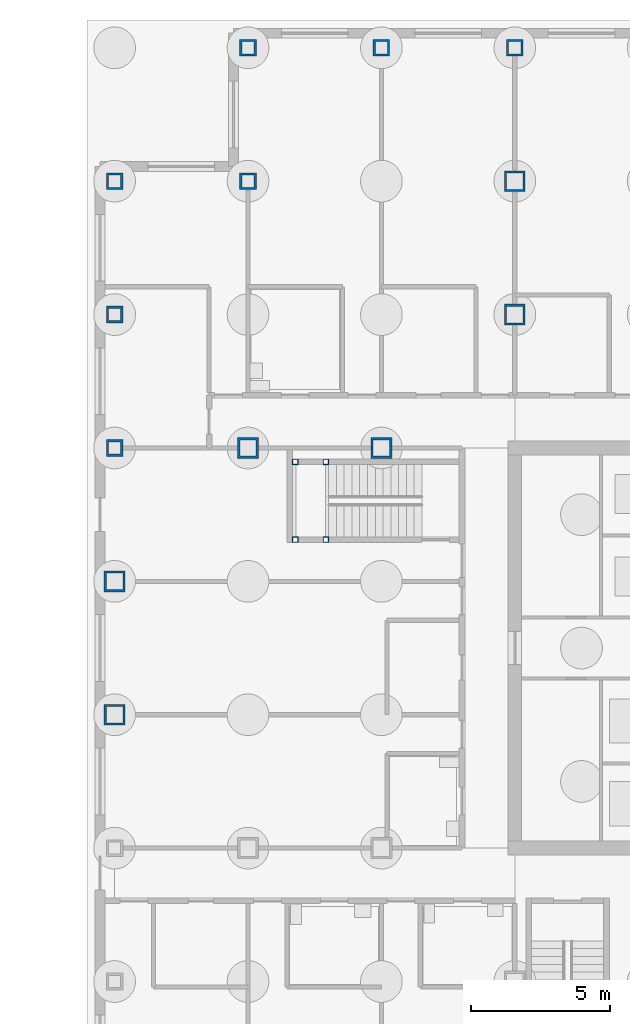
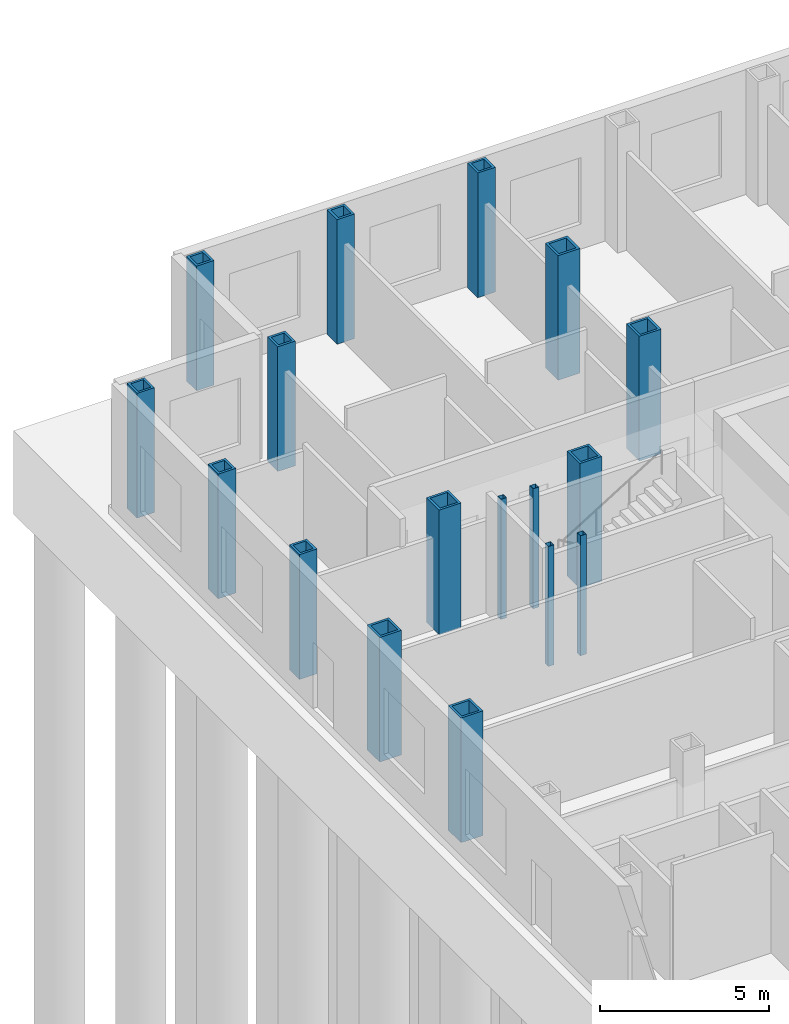
# One storey, part 8 of 22: 17 columns.
"""IFC4 building model written with IfcOpenShell, lengths in metres."""

from ifc_helpers import new_model, si_unit, direction, frame, origin, origin_2d, place, context, subcontext, project, spatial, hollow_rectangle, extrude, material, material_profile, profile_set, type_object, element, save


model = new_model("IFC4")

# Units and contexts
model_context = context("Model", 3, precision=1e-05, world=origin(), true_north=direction((0.0, 1.0)))
body_context = subcontext(model_context, "Body", "Model", "MODEL_VIEW")
ifc_project = project(units=[si_unit("LENGTHUNIT", "METRE"), si_unit("AREAUNIT", "SQUARE_METRE"), si_unit("VOLUMEUNIT", "CUBIC_METRE"), si_unit("PLANEANGLEUNIT", "RADIAN"), si_unit("MASSUNIT", "GRAM", prefix="KILO")], contexts=[model_context])

# Site, building, storey
site_placement = place(None, origin())
site = spatial("IfcSite", under=ifc_project, at=site_placement, CompositionType="ELEMENT")
building_placement = place(site_placement, origin())
building = spatial("IfcBuilding", under=site, at=building_placement, Name="Kvirike Care Tower", CompositionType="ELEMENT")
storey_placement = place(building_placement, origin())
storey = spatial("IfcBuildingStorey", under=building, at=storey_placement, Name="L00", CompositionType="ELEMENT", Elevation=0.0)

# Columns
ifc_material_1 = material(Name="Steel S460", Category="steel")
ifc_material_profile_1 = material_profile(ifc_material_1, hollow_rectangle(XDim=0.60009765625, YDim=0.60009765625, WallThickness=0.080078125, at=origin_2d()), Name="BX 600x600x80")
ifc_profile_set_1 = profile_set([ifc_material_profile_1], Name="Steel S460")
column_type_1 = type_object("IfcColumnType", Name="COLUMN BX 600x600x80", PredefinedType="COLUMN", material=ifc_profile_set_1)
for number, where, z_axis, x_axis, name in (
    (1, (0.0, 43.199951171875, 0.0), (0.0, 0.0, 1.0), (0.0, 1.0, 0.0), "Column K3 L00"),
    (2, (0.0, 48.0, 0.0), (0.0, 0.0, 1.0), (1.0, 0.0, 0.0), "Column L3 L00"),
    (3, (0.0, 52.800048828125, 0.0), (0.0, 0.0, 1.0), (0.0, 1.0, 0.0), "Column M3 L00"),
    (4, (4.800048828125, 52.800048828125, 0.0), (0.0, 0.0, 1.0), (0.0, 1.0, 0.0), "Column M4 L00"),
    (5, (4.800048828125, 57.60009765625, 0.0), (0.0, 0.0, 1.0), (0.0, 1.0, 0.0), "Column N4 L00"),
    (6, (9.60009765625, 57.60009765625, 0.0), (0.0, 0.0, 1.0), (0.0, 1.0, 0.0), "Column N5 L00"),
    (7, (14.39990234375, 57.60009765625, 0.0), (0.0, 0.0, 1.0), (0.0, 1.0, 0.0), "Column N6 L00"),
):
    element("IfcColumn", number, at=place(storey_placement, frame(where, z_axis=z_axis, x_axis=x_axis)), inside=storey, type_object=column_type_1, Name=name, PredefinedType="COLUMN", context=body_context, shape_type="SweptSolid", body=[
        extrude(hollow_rectangle(XDim=0.60009765625, YDim=0.60009765625, WallThickness=0.080078125, at=origin_2d()), origin(), (0.0, 0.0, 1.0), 4.5),
    ])
ifc_material_2 = material(Name="Steel S460", Category="steel")
ifc_material_profile_2 = material_profile(ifc_material_2, hollow_rectangle(XDim=0.75, YDim=0.75, WallThickness=0.080078125, at=origin_2d()), Name="BX 750x750x80")
ifc_profile_set_2 = profile_set([ifc_material_profile_2], Name="Steel S460")
column_type_2 = type_object("IfcColumnType", Name="COLUMN BX 750x750x80", PredefinedType="COLUMN", material=ifc_profile_set_2)
for number, where, z_axis, x_axis, name in (
    (8, (0.0, 33.60009765625, 0.0), (0.0, 0.0, 1.0), (1.0, 0.0, 0.0), "Column H3 L00"),
    (9, (0.0, 38.39990234375, 0.0), (0.0, 0.0, 1.0), (1.0, 0.0, 0.0), "Column J3 L00"),
    (10, (4.800048828125, 43.199951171875, 0.0), (0.0, 0.0, 1.0), (0.0, 1.0, 0.0), "Column K4 L00"),
    (11, (9.60009765625, 43.199951171875, 0.0), (0.0, 0.0, 1.0), (0.0, 1.0, 0.0), "Column K5 L00"),
    (12, (14.39990234375, 48.0, 0.0), (0.0, 0.0, 1.0), (1.0, 0.0, 0.0), "Column L6 L00"),
    (13, (14.39990234375, 52.800048828125, 0.0), (0.0, 0.0, 1.0), (1.0, 0.0, 0.0), "Column M6 L00"),
):
    element("IfcColumn", number, at=place(storey_placement, frame(where, z_axis=z_axis, x_axis=x_axis)), inside=storey, type_object=column_type_2, Name=name, PredefinedType="COLUMN", context=body_context, shape_type="SweptSolid", body=[
        extrude(hollow_rectangle(XDim=0.75, YDim=0.75, WallThickness=0.080078125, at=origin_2d()), origin(), (0.0, 0.0, 1.0), 4.5),
    ])
ifc_material_3 = material(Name="Steel S460", Category="steel")
ifc_material_profile_3 = material_profile(ifc_material_3, hollow_rectangle(XDim=0.199951171875, YDim=0.199951171875, WallThickness=0.008056640625, at=origin_2d()), Name="SHS 200x200x8")
ifc_profile_set_3 = profile_set([ifc_material_profile_3], Name="Steel S460")
column_type_3 = type_object("IfcColumnType", Name="STAIR POST SHS 200x200x8", PredefinedType="COLUMN", material=ifc_profile_set_3)
for number, where, z_axis, x_axis, name in (
    (14, (6.5, 42.699951171875, 0.0), (0.0, 0.0, 1.0), (1.0, 0.0, 0.0), "Stair 1 post 1 L00"),
    (15, (6.5, 39.89990234375, 0.0), (0.0, 0.0, 1.0), (1.0, 0.0, 0.0), "Stair 1 post 2 L00"),
    (16, (7.60009765625, 42.699951171875, 0.0), (0.0, 0.0, 1.0), (1.0, 0.0, 0.0), "Stair 1 post 3 L00"),
    (17, (7.60009765625, 39.89990234375, 0.0), (0.0, 0.0, 1.0), (1.0, 0.0, 0.0), "Stair 1 post 4 L00"),
):
    element("IfcColumn", number, at=place(storey_placement, frame(where, z_axis=z_axis, x_axis=x_axis)), inside=storey, type_object=column_type_3, Name=name, PredefinedType="COLUMN", context=body_context, shape_type="SweptSolid", body=[
        extrude(hollow_rectangle(XDim=0.199951171875, YDim=0.199951171875, WallThickness=0.008056640625, at=origin_2d()), origin(), (0.0, 0.0, 1.0), 4.330078125),
    ])

save(model, "model.ifc")
